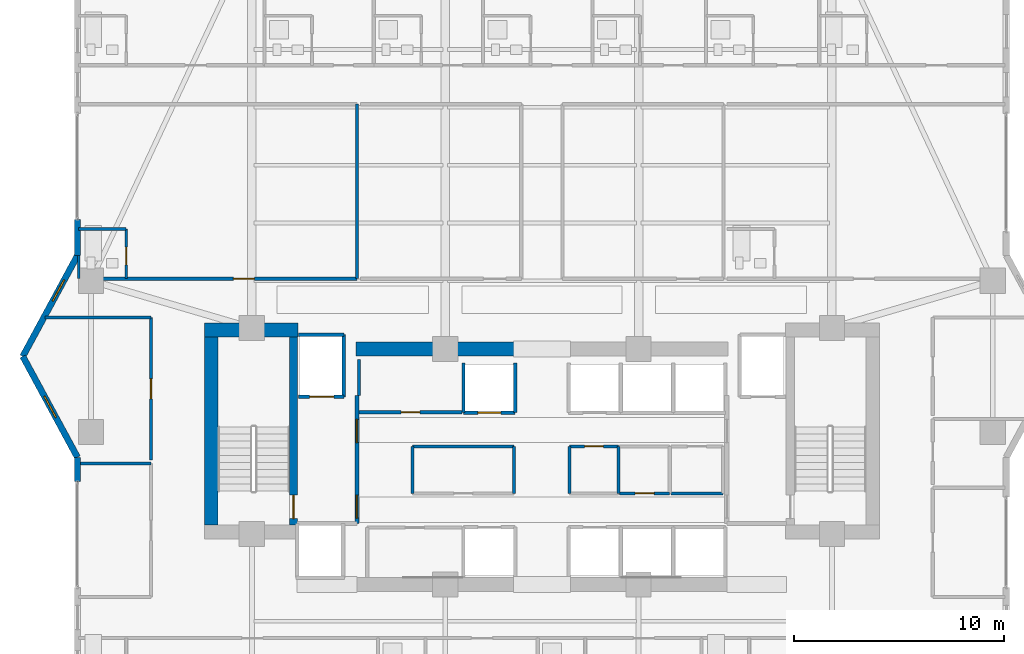
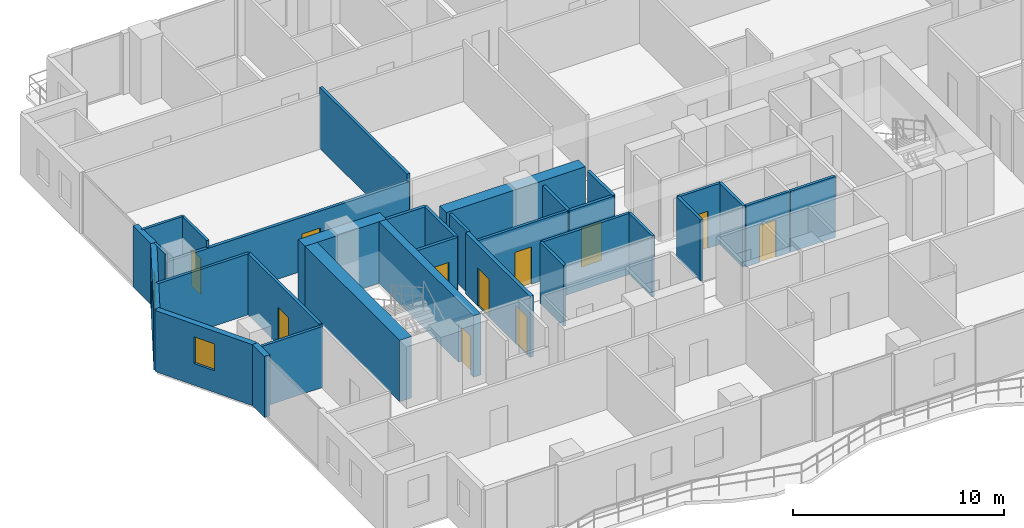
# One storey, part 25 of 33: 33 walls, 11 doors, 2 windows, 13 openings.
"""IFC4 building model written with IfcOpenShell, lengths in metres."""

from ifc_helpers import new_model, si_unit, direction, frame, frame_2d, origin, place, context, subcontext, project, spatial, rectangle, extrude, material, layer, layer_set, type_object, element, fill, save


model = new_model("IFC4")

# Units and contexts
model_context = context("Model", 3, precision=1e-05, world=origin(), true_north=direction((0.0, 1.0)))
body_context = subcontext(model_context, "Body", "Model", "MODEL_VIEW")
ifc_project = project(units=[si_unit("LENGTHUNIT", "METRE"), si_unit("AREAUNIT", "SQUARE_METRE"), si_unit("VOLUMEUNIT", "CUBIC_METRE"), si_unit("PLANEANGLEUNIT", "RADIAN"), si_unit("MASSUNIT", "GRAM", prefix="KILO")], contexts=[model_context])

# Site, building, storey
site_placement = place(None, origin())
site = spatial("IfcSite", under=ifc_project, at=site_placement, CompositionType="ELEMENT")
building_placement = place(site_placement, origin())
building = spatial("IfcBuilding", under=site, at=building_placement, Name="Zuhayl Quay Hotel", CompositionType="ELEMENT")
storey_placement = place(building_placement, frame((0.0, 0.0, 207.39990234375)))
storey = spatial("IfcBuildingStorey", under=building, at=storey_placement, Name="L52", CompositionType="ELEMENT", Elevation=207.39990234375)

# Walls
ifc_material_1 = material(Name="Concrete C50/60", Category="concrete")
ifc_layer_1 = layer(ifc_material_1, 0.64990234375, Name="Concrete C50/60", Category="concrete")
ifc_layer_set_1 = layer_set([ifc_layer_1], Name="Concrete C50/60")
wall_type_1 = type_object("IfcWallType", Name="WL_CORE_650", PredefinedType="SHEAR", material=ifc_layer_set_1)
wall_1_placement = place(storey_placement, frame((-16.06005859375, 14.2548828125, 0.0), z_axis=(0.0, 0.0, 1.0), x_axis=(1.0, 0.0, 0.0)))
element("IfcWall", 1, at=wall_1_placement, inside=storey, type_object=wall_type_1, Name="L52 Core Shear Wall CW_NW", PredefinedType="SHEAR", context=body_context, shape_type="SweptSolid", body=[
    extrude(rectangle(XDim=4.4599609375, YDim=0.64990234375, at=frame_2d((2.22998046875, 0.0))), origin(), (0.0, 0.0, 1.0), 3.56005859375),
])
wall_2_placement = place(storey_placement, frame((-15.735107421875, 4.969970703125, 0.0), z_axis=(0.0, 0.0, 1.0), x_axis=(0.0, 1.0, 0.0)))
element("IfcWall", 2, at=wall_2_placement, inside=storey, type_object=wall_type_1, Name="L52 Core Shear Wall CW_W", PredefinedType="SHEAR", context=body_context, shape_type="SweptSolid", body=[
    extrude(rectangle(XDim=8.9599609375, YDim=0.64990234375, at=frame_2d((4.47998046875, 0.0))), origin(), (0.0, 0.0, 1.0), 3.56005859375),
])
wall_3_placement = place(storey_placement, frame((-8.85009765625, 13.35009765625, 0.0), z_axis=(0.0, 0.0, 1.0), x_axis=(1.0, 0.0, 0.0)))
element("IfcWall", 3, at=wall_3_placement, inside=storey, type_object=wall_type_1, Name="L52 Core Shear Wall CW_NC_W", PredefinedType="SHEAR", context=body_context, shape_type="SweptSolid", body=[
    extrude(rectangle(XDim=7.60009765625, YDim=0.64990234375, at=frame_2d((3.800048828125, 0.0))), origin(), (0.0, 0.0, 1.0), 3.530029296875),
])
ifc_material_2 = material(Name="Precast concrete C45/55", Category="concrete")
ifc_layer_2 = layer(ifc_material_2, 0.300048828125, Name="Precast concrete C45/55", Category="concrete")
ifc_layer_set_2 = layer_set([ifc_layer_2], Name="Precast concrete C45/55")
wall_type_2 = type_object("IfcWallType", Name="WL_EXT_300", PredefinedType="STANDARD", material=ifc_layer_set_2)
wall_4_placement = place(storey_placement, frame((-22.10009765625, 7.050048828125, 0.0), z_axis=(0.0, 0.0, 1.0), x_axis=(0.0, 1.0, 0.0)))
element("IfcWall", 4, at=wall_4_placement, inside=storey, type_object=wall_type_2, Name="L52 Exterior Precast Wall ENV_L52_E02_EW2", PredefinedType="STANDARD", context=body_context, shape_type="SweptSolid", body=[
    extrude(rectangle(XDim=1.14990234375, YDim=0.300048828125, at=frame_2d((0.574951171875, 0.0))), origin(), (0.0, 0.0, 1.0), 3.530029296875),
])

# Wall, opening, window
wall_5_placement = place(storey_placement, frame((-22.10009765625, 8.199951171875, 0.0), z_axis=(0.0, 0.0, 1.0), x_axis=(-0.476258655584, 0.879305233114, 0.0)))
wall_5 = element("IfcWall", 5, at=wall_5_placement, inside=storey, type_object=wall_type_2, Name="L52 Exterior Precast Wall ENV_L52_EW03", PredefinedType="STANDARD", context=body_context, shape_type="SweptSolid", body=[
    extrude(rectangle(XDim=5.458984375, YDim=0.300048828125, at=frame_2d((2.7294921875, 0.0))), origin(), (0.0, 0.0, 1.0), 3.530029296875),
])
opening_1_placement = place(wall_5_placement, frame((2.154541015625, 0.0, 1.25)))
opening_1 = element("IfcOpeningElement", 6, at=opening_1_placement, cuts=wall_5, Name="Opening W01N", PredefinedType="OPENING", context=body_context, shape_type="SweptSolid", body=[
    extrude(rectangle(XDim=1.14990234375, YDim=1.550048828125, at=frame_2d((0.574951171875, 0.77490234375))), frame((0.0, 0.159912109375, 0.0), z_axis=(0.0, -1.0, 0.0), x_axis=(1.0, 0.0, 0.0)), (0.0, 0.0, 1.0), 0.320068359375),
])
ifc_material_3 = material(Name="Dark Ceramic-Fritted Solar Glass", Category="glass")
window_type = type_object("IfcWindowType", Name="WN_NOTCH_1350", PartitioningType="SINGLE_PANEL", PredefinedType="WINDOW", material=ifc_material_3)
window_1_placement = place(opening_1_placement, origin())
window_1 = element("IfcWindow", 7, at=window_1_placement, inside=storey, type_object=window_type, Name="L52 Corner Notch Window 3", OverallHeight=1.550048828125, OverallWidth=1.14990234375, PartitioningType="SINGLE_PANEL", PredefinedType="WINDOW", context=body_context, shape_type="SweptSolid", body=[
    extrude(rectangle(XDim=1.14990234375, YDim=1.550048828125, at=frame_2d((0.574951171875, 0.77490234375))), frame((0.0, 0.030029296875, 0.0), z_axis=(0.0, -1.0, 0.0), x_axis=(1.0, 0.0, 0.0)), (0.0, 0.0, 1.0), 0.06005859375),
])
fill(opening_1, window_1)

wall_6_placement = place(storey_placement, frame((-24.699951171875, 13.0, 0.0), z_axis=(0.0, 0.0, 1.0), x_axis=(0.476258655584, 0.879305233114, 0.0)))
wall_6 = element("IfcWall", 8, at=wall_6_placement, inside=storey, type_object=wall_type_2, Name="L52 Exterior Precast Wall ENV_L52_EW04", PredefinedType="STANDARD", context=body_context, shape_type="SweptSolid", body=[
    extrude(rectangle(XDim=5.458984375, YDim=0.300048828125, at=frame_2d((2.7294921875, 0.0))), origin(), (0.0, 0.0, 1.0), 3.530029296875),
])
opening_2_placement = place(wall_6_placement, frame((2.9931640625, 0.0, 1.25)))
opening_2 = element("IfcOpeningElement", 9, at=opening_2_placement, cuts=wall_6, Name="Opening W01N", PredefinedType="OPENING", context=body_context, shape_type="SweptSolid", body=[
    extrude(rectangle(XDim=1.14990234375, YDim=1.550048828125, at=frame_2d((0.574951171875, 0.77490234375))), frame((0.0, 0.159912109375, 0.0), z_axis=(0.0, -1.0, 0.0), x_axis=(1.0, 0.0, 0.0)), (0.0, 0.0, 1.0), 0.320068359375),
])
window_2_placement = place(opening_2_placement, origin())
window_2 = element("IfcWindow", 10, at=window_2_placement, inside=storey, type_object=window_type, Name="L52 Corner Notch Window 4", OverallHeight=1.550048828125, OverallWidth=1.14990234375, PartitioningType="SINGLE_PANEL", PredefinedType="WINDOW", context=body_context, shape_type="SweptSolid", body=[
    extrude(rectangle(XDim=1.14990234375, YDim=1.550048828125, at=frame_2d((0.574951171875, 0.77490234375))), frame((0.0, 0.030029296875, 0.0), z_axis=(0.0, -1.0, 0.0), x_axis=(1.0, 0.0, 0.0)), (0.0, 0.0, 1.0), 0.06005859375),
])
fill(opening_2, window_2)

# Wall
wall_7_placement = place(storey_placement, frame((-22.10009765625, 17.800048828125, 0.0), z_axis=(0.0, 0.0, 1.0), x_axis=(0.0, 1.0, 0.0)))
element("IfcWall", 11, at=wall_7_placement, inside=storey, type_object=wall_type_2, Name="L52 Exterior Precast Wall ENV_L52_E05_EW1", PredefinedType="STANDARD", context=body_context, shape_type="SweptSolid", body=[
    extrude(rectangle(XDim=1.7099609375, YDim=0.300048828125, at=frame_2d((0.85498046875, 0.0))), origin(), (0.0, 0.0, 1.0), 3.530029296875),
])

# Wall, opening, door
ifc_material_4 = material(Name="Acoustic Gypsum Partition STC-58")
ifc_layer_3 = layer(ifc_material_4, 0.14990234375, Name="Acoustic Gypsum Partition STC-58")
ifc_layer_set_3 = layer_set([ifc_layer_3], Name="Acoustic Gypsum Partition STC-58")
wall_type_3 = type_object("IfcWallType", Name="WL_PART_150", PredefinedType="PARTITIONING", material=ifc_layer_set_3)
wall_8_placement = place(storey_placement, frame((-8.7099609375, 10.340087890625, 0.0), z_axis=(0.0, 0.0, 1.0), x_axis=(1.0, 0.0, 0.0)))
wall_8 = element("IfcWall", 12, at=wall_8_placement, inside=storey, type_object=wall_type_3, Name="L52 Partition IW_L52_FLP_N_S", PredefinedType="PARTITIONING", context=body_context, shape_type="SweptSolid", body=[
    extrude(rectangle(XDim=4.919921875, YDim=0.14990234375, at=frame_2d((2.4599609375, 0.0))), origin(), (0.0, 0.0, 1.0), 3.530029296875),
])
opening_3_placement = place(wall_8_placement, frame((2.010009765625, 0.0, 0.0)))
opening_3 = element("IfcOpeningElement", 13, at=opening_3_placement, cuts=wall_8, Name="Opening D06", PredefinedType="OPENING", context=body_context, shape_type="SweptSolid", body=[
    extrude(rectangle(XDim=0.89990234375, YDim=2.14990234375, at=frame_2d((0.449951171875, 1.074951171875))), frame((0.0, 0.0849609375, 0.0), z_axis=(0.0, -1.0, 0.0), x_axis=(1.0, 0.0, 0.0)), (0.0, 0.0, 1.0), 0.169921875),
])
ifc_material_5 = material(Name="Steel ASTM A992 Grade 50", Category="steel")
door_type_1 = type_object("IfcDoorType", Name="DR_INT_900", OperationType="NOTDEFINED", PredefinedType="DOOR", material=ifc_material_5)
door_1_placement = place(opening_3_placement, origin())
door_1 = element("IfcDoor", 14, at=door_1_placement, inside=storey, type_object=door_type_1, Name="L52 Housekeeping Linen Bay Door", OperationType="SINGLE_SWING_LEFT", OverallHeight=2.14990234375, OverallWidth=0.89990234375, PredefinedType="DOOR", context=body_context, shape_type="SweptSolid", body=[
    extrude(rectangle(XDim=0.89990234375, YDim=2.14990234375, at=frame_2d((0.449951171875, 1.074951171875))), frame((0.0, 0.02490234375, 0.0), z_axis=(0.0, -1.0, 0.0), x_axis=(1.0, 0.0, 0.0)), (0.0, 0.0, 1.0), 0.050048828125),
])
fill(opening_3, door_1)

wall_9_placement = place(storey_placement, frame((1.320068359375, 8.719970703125, 0.0), z_axis=(0.0, 0.0, 1.0), x_axis=(1.0, 0.0, 0.0)))
wall_9 = element("IfcWall", 15, at=wall_9_placement, inside=storey, type_object=wall_type_3, Name="L52 Partition IW_L52_CORE_E1_N", PredefinedType="PARTITIONING", context=body_context, shape_type="SweptSolid", body=[
    extrude(rectangle(XDim=2.31982421875, YDim=0.14990234375, at=frame_2d((1.159912109375, 0.0))), origin(), (0.0, 0.0, 1.0), 3.530029296875),
])
opening_4_placement = place(wall_9_placement, frame((0.7099609375, 0.0, 0.0)))
opening_4 = element("IfcOpeningElement", 16, at=opening_4_placement, cuts=wall_9, Name="Opening D06", PredefinedType="OPENING", context=body_context, shape_type="SweptSolid", body=[
    extrude(rectangle(XDim=0.89990234375, YDim=2.14990234375, at=frame_2d((0.449951171875, 1.074951171875))), frame((0.0, 0.0849609375, 0.0), z_axis=(0.0, -1.0, 0.0), x_axis=(1.0, 0.0, 0.0)), (0.0, 0.0, 1.0), 0.169921875),
])
door_2_placement = place(opening_4_placement, origin())
door_2 = element("IfcDoor", 17, at=door_2_placement, inside=storey, type_object=door_type_1, Name="L52 Floor Electrical Closet Door", OperationType="SINGLE_SWING_LEFT", OverallHeight=2.14990234375, OverallWidth=0.89990234375, PredefinedType="DOOR", context=body_context, shape_type="SweptSolid", body=[
    extrude(rectangle(XDim=0.89990234375, YDim=2.14990234375, at=frame_2d((0.449951171875, 1.074951171875))), frame((0.0, 0.02490234375, 0.0), z_axis=(0.0, -1.0, 0.0), x_axis=(1.0, 0.0, 0.0)), (0.0, 0.0, 1.0), 0.050048828125),
])
fill(opening_4, door_2)

wall_10_placement = place(storey_placement, frame((3.699951171875, 6.47998046875, 0.0), z_axis=(0.0, 0.0, 1.0), x_axis=(1.0, 0.0, 0.0)))
wall_10 = element("IfcWall", 18, at=wall_10_placement, inside=storey, type_object=wall_type_3, Name="L52 Partition IW_L52_CORE_E2_S", PredefinedType="PARTITIONING", context=body_context, shape_type="SweptSolid", body=[
    extrude(rectangle(XDim=2.380126953125, YDim=0.14990234375, at=frame_2d((1.18994140625, 0.0))), origin(), (0.0, 0.0, 1.0), 3.530029296875),
])
opening_5_placement = place(wall_10_placement, frame((0.739990234375, 0.0, 0.0)))
opening_5 = element("IfcOpeningElement", 19, at=opening_5_placement, cuts=wall_10, Name="Opening D06", PredefinedType="OPENING", context=body_context, shape_type="SweptSolid", body=[
    extrude(rectangle(XDim=0.89990234375, YDim=2.14990234375, at=frame_2d((0.449951171875, 1.074951171875))), frame((0.0, 0.0849609375, 0.0), z_axis=(0.0, -1.0, 0.0), x_axis=(1.0, 0.0, 0.0)), (0.0, 0.0, 1.0), 0.169921875),
])
door_3_placement = place(opening_5_placement, origin())
door_3 = element("IfcDoor", 20, at=door_3_placement, inside=storey, type_object=door_type_1, Name="L52 Data Closet Door", OperationType="SINGLE_SWING_RIGHT", OverallHeight=2.14990234375, OverallWidth=0.89990234375, PredefinedType="DOOR", context=body_context, shape_type="SweptSolid", body=[
    extrude(rectangle(XDim=0.89990234375, YDim=2.14990234375, at=frame_2d((0.449951171875, 1.074951171875))), frame((0.0, 0.02490234375, 0.0), z_axis=(0.0, -1.0, 0.0), x_axis=(1.0, 0.0, 0.0)), (0.0, 0.0, 1.0), 0.050048828125),
])
fill(opening_5, door_3)

# Walls
wall_11_placement = place(storey_placement, frame((-8.7099609375, 11.14990234375, 0.0), z_axis=(0.0, 0.0, 1.0), x_axis=(0.0, 1.0, 0.0)))
element("IfcWall", 21, at=wall_11_placement, inside=storey, type_object=wall_type_3, Name="L52 Partition IW_L52_FLP_N_W", PredefinedType="PARTITIONING", context=body_context, shape_type="SweptSolid", body=[
    extrude(rectangle(XDim=1.710205078125, YDim=0.14990234375, at=frame_2d((0.85498046875, 0.0))), origin(), (0.0, 0.0, 1.0), 3.530029296875),
])
wall_12_placement = place(storey_placement, frame((-6.159912109375, 8.719970703125, 0.0), z_axis=(0.0, 0.0, 1.0), x_axis=(1.0, 0.0, 0.0)))
element("IfcWall", 22, at=wall_12_placement, inside=storey, type_object=wall_type_3, Name="L52 Partition IW_L52_CORE_SV_N", PredefinedType="PARTITIONING", context=body_context, shape_type="SweptSolid", body=[
    extrude(rectangle(XDim=4.83984375, YDim=0.14990234375, at=frame_2d((2.419921875, 0.0))), origin(), (0.0, 0.0, 1.0), 3.530029296875),
])
for number, where, z_axis, x_axis, name in (
    (23, (-6.159912109375, 6.47998046875, 0.0), (0.0, 0.0, 1.0), (0.0, 1.0, 0.0), "L52 Partition IW_L52_CORE_SV_W"),
    (24, (-1.320068359375, 6.47998046875, 0.0), (0.0, 0.0, 1.0), (0.0, 1.0, 0.0), "L52 Partition IW_L52_CORE_SV_E"),
    (25, (1.320068359375, 6.47998046875, 0.0), (0.0, 0.0, 1.0), (0.0, 1.0, 0.0), "L52 Partition IW_L52_CORE_E1_W"),
    (26, (3.639892578125, 6.47998046875, 0.0), (0.0, 0.0, 1.0), (0.0, 1.0, 0.0), "L52 Partition IW_L52_CORE_E1_E"),
):
    element("IfcWall", number, at=place(storey_placement, frame(where, z_axis=z_axis, x_axis=x_axis)), inside=storey, type_object=wall_type_3, Name=name, PredefinedType="PARTITIONING", context=body_context, shape_type="SweptSolid", body=[
        extrude(rectangle(XDim=2.239990234375, YDim=0.14990234375, at=frame_2d((1.1201171875, 0.0))), origin(), (0.0, 0.0, 1.0), 3.530029296875),
    ])
wall_13_placement = place(storey_placement, frame((6.139892578125, 6.47998046875, 0.0), z_axis=(0.0, 0.0, 1.0), x_axis=(1.0, 0.0, 0.0)))
element("IfcWall", 27, at=wall_13_placement, inside=storey, type_object=wall_type_3, Name="L52 Partition IW_L52_CORE_E3_S", PredefinedType="PARTITIONING", context=body_context, shape_type="SweptSolid", body=[
    extrude(rectangle(XDim=2.47021484375, YDim=0.14990234375, at=frame_2d((1.235107421875, 0.0))), origin(), (0.0, 0.0, 1.0), 3.530029296875),
])
wall_14_placement = place(storey_placement, frame((-8.800048828125, 16.699951171875, 0.0), z_axis=(0.0, 0.0, 1.0), x_axis=(0.0, 1.0, 0.0)))
element("IfcWall", 28, at=wall_14_placement, inside=storey, type_object=wall_type_3, Name="L52 Partition IW_L52_MU01_E", PredefinedType="PARTITIONING", context=body_context, shape_type="SweptSolid", body=[
    extrude(rectangle(XDim=8.300048828125, YDim=0.14990234375, at=frame_2d((4.14990234375, 0.0))), origin(), (0.0, 0.0, 1.0), 3.530029296875),
])
wall_15_placement = place(storey_placement, frame((-22.0400390625, 7.89990234375, 0.0), z_axis=(0.0, 0.0, 1.0), x_axis=(1.0, 0.0, 0.0)))
element("IfcWall", 29, at=wall_15_placement, inside=storey, type_object=wall_type_3, Name="L52 Partition IW_L52_WPROW_1_N", PredefinedType="PARTITIONING", context=body_context, shape_type="SweptSolid", body=[
    extrude(rectangle(XDim=3.43994140625, YDim=0.14990234375, at=frame_2d((1.719970703125, 0.0))), origin(), (0.0, 0.0, 1.0), 3.530029296875),
])
wall_16_placement = place(storey_placement, frame((-23.637939453125, 14.85009765625, 0.0), z_axis=(0.0, 0.0, 1.0), x_axis=(1.0, 0.0, 0.0)))
element("IfcWall", 30, at=wall_16_placement, inside=storey, type_object=wall_type_3, Name="L52 Partition IW_L52_WPROW_2_N", PredefinedType="PARTITIONING", context=body_context, shape_type="SweptSolid", body=[
    extrude(rectangle(XDim=5.037841796875, YDim=0.14990234375, at=frame_2d((2.51904296875, 0.0))), origin(), (0.0, 0.0, 1.0), 3.530029296875),
])

# Wall, opening, door
ifc_layer_4 = layer(ifc_material_4, 0.159912109375, Name="Acoustic Gypsum Partition STC-58")
ifc_layer_set_4 = layer_set([ifc_layer_4], Name="Acoustic Gypsum Partition STC-58")
wall_type_4 = type_object("IfcWallType", Name="WL_PART_CORR_160", PredefinedType="PARTITIONING", material=ifc_layer_set_4)
wall_17_placement = place(storey_placement, frame((-22.0400390625, 16.699951171875, 0.0), z_axis=(0.0, 0.0, 1.0), x_axis=(1.0, 0.0, 0.0)))
wall_17 = element("IfcWall", 31, at=wall_17_placement, inside=storey, type_object=wall_type_4, Name="L52 Partition IW_L52_MU01_COR", PredefinedType="PARTITIONING", context=body_context, shape_type="SweptSolid", body=[
    extrude(rectangle(XDim=13.239990234375, YDim=0.159912109375, at=frame_2d((6.6201171875, 0.0))), origin(), (0.0, 0.0, 1.0), 3.1240234375),
])
opening_6_placement = place(wall_17_placement, frame((7.364990234375, 0.0, 0.0)))
opening_6 = element("IfcOpeningElement", 32, at=opening_6_placement, cuts=wall_17, Name="Opening D03L", PredefinedType="OPENING", context=body_context, shape_type="SweptSolid", body=[
    extrude(rectangle(XDim=1.0, YDim=2.14990234375, at=frame_2d((0.5, 1.074951171875))), frame((0.0, 0.08984375, 0.0), z_axis=(0.0, -1.0, 0.0), x_axis=(1.0, 0.0, 0.0)), (0.0, 0.0, 1.0), 0.179931640625),
])
ifc_material_6 = material(Name="Solid Walnut Acoustic Fire Door")
door_type_2 = type_object("IfcDoorType", Name="DR_SUITE_1000", OperationType="NOTDEFINED", PredefinedType="DOOR", material=ifc_material_6)
door_4_placement = place(opening_6_placement, origin())
door_4 = element("IfcDoor", 33, at=door_4_placement, inside=storey, type_object=door_type_2, Name="L52 Club Junior Suite L52-M1 Entrance Door", OperationType="SINGLE_SWING_LEFT", OverallHeight=2.14990234375, OverallWidth=1.0, PredefinedType="DOOR", context=body_context, shape_type="SweptSolid", body=[
    extrude(rectangle(XDim=1.0, YDim=2.14990234375, at=frame_2d((0.5, 1.074951171875))), frame((0.0, 0.02490234375, 0.0), z_axis=(0.0, -1.0, 0.0), x_axis=(1.0, 0.0, 0.0)), (0.0, 0.0, 1.0), 0.050048828125),
])
fill(opening_6, door_4)

wall_18_placement = place(storey_placement, frame((-18.60009765625, 8.06005859375, 0.0), z_axis=(0.0, 0.0, 1.0), x_axis=(0.0, 1.0, 0.0)))
wall_18 = element("IfcWall", 34, at=wall_18_placement, inside=storey, type_object=wall_type_4, Name="L52 Partition IW_L52_WPROW_2_E", PredefinedType="PARTITIONING", context=body_context, shape_type="SweptSolid", body=[
    extrude(rectangle(XDim=6.7900390625, YDim=0.159912109375, at=frame_2d((3.39501953125, 0.0))), origin(), (0.0, 0.0, 1.0), 3.530029296875),
])
opening_7_placement = place(wall_18_placement, frame((2.919921875, 0.0, 0.0)))
opening_7 = element("IfcOpeningElement", 35, at=opening_7_placement, cuts=wall_18, Name="Opening D03", PredefinedType="OPENING", context=body_context, shape_type="SweptSolid", body=[
    extrude(rectangle(XDim=0.949951171875, YDim=2.14990234375, at=frame_2d((0.47509765625, 1.074951171875))), frame((0.0, 0.08984375, 0.0), z_axis=(0.0, -1.0, 0.0), x_axis=(1.0, 0.0, 0.0)), (0.0, 0.0, 1.0), 0.179931640625),
])
door_type_3 = type_object("IfcDoorType", Name="DR_SUITE_950", OperationType="NOTDEFINED", PredefinedType="DOOR", material=ifc_material_6)
door_5_placement = place(opening_7_placement, origin())
door_5 = element("IfcDoor", 36, at=door_5_placement, inside=storey, type_object=door_type_3, Name="L52 Sunset Lounge L52 Door", OperationType="SINGLE_SWING_RIGHT", OverallHeight=2.14990234375, OverallWidth=0.949951171875, PredefinedType="DOOR", context=body_context, shape_type="SweptSolid", body=[
    extrude(rectangle(XDim=0.949951171875, YDim=2.14990234375, at=frame_2d((0.47509765625, 1.074951171875))), frame((0.0, 0.02490234375, 0.0), z_axis=(0.0, -1.0, 0.0), x_axis=(1.0, 0.0, 0.0)), (0.0, 0.0, 1.0), 0.050048828125),
])
fill(opening_7, door_5)

ifc_material_7 = material(Name="Moisture-Resistant Sanitarychase Gypsum")
ifc_layer_5 = layer(ifc_material_7, 0.135009765625, Name="Moisture-Resistant Sanitarychase Gypsum")
ifc_layer_set_5 = layer_set([ifc_layer_5], Name="Moisture-Resistant Sanitarychase Gypsum")
wall_type_5 = type_object("IfcWallType", Name="WL_PART_PLUMB_150", PredefinedType="PLUMBINGWALL", material=ifc_layer_set_5)
wall_19_placement = place(storey_placement, frame((-19.780029296875, 16.699951171875, 0.0), z_axis=(0.0, 0.0, 1.0), x_axis=(0.0, 1.0, 0.0)))
wall_19 = element("IfcWall", 37, at=wall_19_placement, inside=storey, type_object=wall_type_5, Name="L52 Partition IW_L52_MU01_BE", PredefinedType="PLUMBINGWALL", context=body_context, shape_type="SweptSolid", body=[
    extrude(rectangle(XDim=2.360107421875, YDim=0.135009765625, at=frame_2d((1.18017578125, 0.0))), origin(), (0.0, 0.0, 1.0), 3.530029296875),
])
opening_8_placement = place(wall_19_placement, frame((0.64990234375, 0.0, 0.0)))
opening_8 = element("IfcOpeningElement", 38, at=opening_8_placement, cuts=wall_19, Name="Opening D04", PredefinedType="OPENING", context=body_context, shape_type="SweptSolid", body=[
    extrude(rectangle(XDim=0.85009765625, YDim=2.10009765625, at=frame_2d((0.425048828125, 1.050048828125))), frame((0.0, 0.077392578125, 0.0), z_axis=(0.0, -1.0, 0.0), x_axis=(1.0, 0.0, 0.0)), (0.0, 0.0, 1.0), 0.155029296875),
])
ifc_material_8 = material(Name="Moisture-Resistant Walnut Veneer")
door_type_4 = type_object("IfcDoorType", Name="DR_BATH_850", OperationType="NOTDEFINED", PredefinedType="DOOR", material=ifc_material_8)
door_6_placement = place(opening_8_placement, origin())
door_6 = element("IfcDoor", 39, at=door_6_placement, inside=storey, type_object=door_type_4, Name="L52 Club Junior Suite L52-M1 En-Suite Door", OperationType="SINGLE_SWING_RIGHT", OverallHeight=2.10009765625, OverallWidth=0.85009765625, PredefinedType="DOOR", context=body_context, shape_type="SweptSolid", body=[
    extrude(rectangle(XDim=0.85009765625, YDim=2.10009765625, at=frame_2d((0.425048828125, 1.050048828125))), frame((0.0, 0.02490234375, 0.0), z_axis=(0.0, -1.0, 0.0), x_axis=(1.0, 0.0, 0.0)), (0.0, 0.0, 1.0), 0.050048828125),
])
fill(opening_8, door_6)

# Walls
wall_20_placement = place(storey_placement, frame((-22.0400390625, 19.06005859375, 0.0), z_axis=(0.0, 0.0, 1.0), x_axis=(1.0, 0.0, 0.0)))
element("IfcWall", 40, at=wall_20_placement, inside=storey, type_object=wall_type_5, Name="L52 Partition IW_L52_MU01_BN", PredefinedType="PLUMBINGWALL", context=body_context, shape_type="SweptSolid", body=[
    extrude(rectangle(XDim=2.260009765625, YDim=0.135009765625, at=frame_2d((1.1298828125, 0.0))), origin(), (0.0, 0.0, 1.0), 3.530029296875),
])
wall_21_placement = place(storey_placement, frame((-22.0400390625, 16.699951171875, 0.0), z_axis=(0.0, 0.0, 1.0), x_axis=(0.0, 1.0, 0.0)))
element("IfcWall", 41, at=wall_21_placement, inside=storey, type_object=wall_type_5, Name="L52 Partition IW_L52_MU01_BW", PredefinedType="PLUMBINGWALL", context=body_context, shape_type="SweptSolid", body=[
    extrude(rectangle(XDim=1.10009765625, YDim=0.135009765625, at=frame_2d((0.550048828125, 0.0))), origin(), (0.0, 0.0, 1.0), 3.530029296875),
])

# Wall, opening, door
ifc_material_9 = material(Name="Gypsum Fireboard Assembly EI-90")
ifc_layer_6 = layer(ifc_material_9, 0.1650390625, Name="Gypsum Fireboard Assembly EI-90")
ifc_layer_set_6 = layer_set([ifc_layer_6], Name="Gypsum Fireboard Assembly EI-90")
wall_type_6 = type_object("IfcWallType", Name="WL_PART_SHAFT_160", PredefinedType="PARTITIONING", material=ifc_layer_set_6)
wall_22_placement = place(storey_placement, frame((-11.580078125, 11.070068359375, 0.0), z_axis=(0.0, 0.0, 1.0), x_axis=(1.0, 0.0, 0.0)))
wall_22 = element("IfcWall", 42, at=wall_22_placement, inside=storey, type_object=wall_type_6, Name="L52 Partition IW_L52_SH_FL1_F", PredefinedType="PARTITIONING", context=body_context, shape_type="SweptSolid", body=[
    extrude(rectangle(XDim=2.16015625, YDim=0.1650390625, at=frame_2d((1.080078125, 0.0))), origin(), (0.0, 0.0, 1.0), 3.530029296875),
])
opening_9_placement = place(wall_22_placement, frame((0.530029296875, 0.0, 0.0)))
opening_9 = element("IfcOpeningElement", 43, at=opening_9_placement, cuts=wall_22, Name="Opening LD2", PredefinedType="OPENING", context=body_context, shape_type="SweptSolid", body=[
    extrude(rectangle(XDim=1.14990234375, YDim=2.25, at=frame_2d((0.574951171875, 1.125))), frame((0.0, 0.092529296875, 0.0), z_axis=(0.0, -1.0, 0.0), x_axis=(1.0, 0.0, 0.0)), (0.0, 0.0, 1.0), 0.18505859375),
])
ifc_material_10 = material(Name="Brushed Stainless Steel", Category="steel")
door_type_5 = type_object("IfcDoorType", Name="DR_LIFT_FF_1100", OperationType="SLIDING_TO_LEFT", PredefinedType="DOOR", material=ifc_material_10)
door_7_placement = place(opening_9_placement, origin())
door_7 = element("IfcDoor", 44, at=door_7_placement, inside=storey, type_object=door_type_5, Name="L52 Lift FL1 Sliding Landing Door", OperationType="SLIDING_TO_LEFT", OverallHeight=2.25, OverallWidth=1.14990234375, PredefinedType="DOOR", context=body_context, shape_type="SweptSolid", body=[
    extrude(rectangle(XDim=1.14990234375, YDim=2.25, at=frame_2d((0.574951171875, 1.125))), frame((0.0, 0.02490234375, 0.0), z_axis=(0.0, -1.0, 0.0), x_axis=(1.0, 0.0, 0.0)), (0.0, 0.0, 1.0), 0.050048828125),
])
fill(opening_9, door_7)

wall_23_placement = place(storey_placement, frame((-3.72998046875, 10.320068359375, 0.0), z_axis=(0.0, 0.0, 1.0), x_axis=(1.0, 0.0, 0.0)))
wall_23 = element("IfcWall", 45, at=wall_23_placement, inside=storey, type_object=wall_type_6, Name="L52 Partition IW_L52_SH_MP3_F", PredefinedType="PARTITIONING", context=body_context, shape_type="SweptSolid", body=[
    extrude(rectangle(XDim=2.4599609375, YDim=0.1650390625, at=frame_2d((1.22998046875, 0.0))), origin(), (0.0, 0.0, 1.0), 3.530029296875),
])
opening_10_placement = place(wall_23_placement, frame((0.679931640625, 0.0, 0.0)))
opening_10 = element("IfcOpeningElement", 46, at=opening_10_placement, cuts=wall_23, Name="Opening LD1", PredefinedType="OPENING", context=body_context, shape_type="SweptSolid", body=[
    extrude(rectangle(XDim=1.10009765625, YDim=2.25, at=frame_2d((0.550048828125, 1.125))), frame((0.0, 0.092529296875, 0.0), z_axis=(0.0, -1.0, 0.0), x_axis=(1.0, 0.0, 0.0)), (0.0, 0.0, 1.0), 0.18505859375),
])
door_type_6 = type_object("IfcDoorType", Name="DR_LIFT_PASS_1100", OperationType="SLIDING_TO_LEFT", PredefinedType="DOOR", material=ifc_material_10)
door_8_placement = place(opening_10_placement, origin())
door_8 = element("IfcDoor", 47, at=door_8_placement, inside=storey, type_object=door_type_6, Name="L52 Lift MP3 Sliding Landing Door", OperationType="SLIDING_TO_LEFT", OverallHeight=2.25, OverallWidth=1.10009765625, PredefinedType="DOOR", context=body_context, shape_type="SweptSolid", body=[
    extrude(rectangle(XDim=1.10009765625, YDim=2.25, at=frame_2d((0.550048828125, 1.125))), frame((0.0, 0.02490234375, 0.0), z_axis=(0.0, -1.0, 0.0), x_axis=(1.0, 0.0, 0.0)), (0.0, 0.0, 1.0), 0.050048828125),
])
fill(opening_10, door_8)

# Walls
wall_24_placement = place(storey_placement, frame((-9.419921875, 11.070068359375, 0.0), z_axis=(0.0, 0.0, 1.0), x_axis=(0.0, 1.0, 0.0)))
element("IfcWall", 48, at=wall_24_placement, inside=storey, type_object=wall_type_6, Name="L52 Partition IW_L52_SH_FL1_E", PredefinedType="PARTITIONING", context=body_context, shape_type="SweptSolid", body=[
    extrude(rectangle(XDim=2.9599609375, YDim=0.1650390625, at=frame_2d((1.47998046875, 0.0))), origin(), (0.0, 0.0, 1.0), 3.530029296875),
])
wall_25_placement = place(storey_placement, frame((-11.580078125, 14.030029296875, 0.0), z_axis=(0.0, 0.0, 1.0), x_axis=(1.0, 0.0, 0.0)))
element("IfcWall", 49, at=wall_25_placement, inside=storey, type_object=wall_type_6, Name="L52 Partition IW_L52_SH_FL1_B", PredefinedType="PARTITIONING", context=body_context, shape_type="SweptSolid", body=[
    extrude(rectangle(XDim=2.16015625, YDim=0.1650390625, at=frame_2d((1.080078125, 0.0))), origin(), (0.0, 0.0, 1.0), 3.530029296875),
])
for number, where, z_axis, x_axis, name in (
    (50, (-3.72998046875, 10.320068359375, 0.0), (0.0, 0.0, 1.0), (0.0, 1.0, 0.0), "L52 Partition IW_L52_SH_MP3_W"),
    (51, (-1.27001953125, 10.320068359375, 0.0), (0.0, 0.0, 1.0), (0.0, 1.0, 0.0), "L52 Partition IW_L52_SH_MP3_E"),
):
    element("IfcWall", number, at=place(storey_placement, frame(where, z_axis=z_axis, x_axis=x_axis)), inside=storey, type_object=wall_type_6, Name=name, PredefinedType="PARTITIONING", context=body_context, shape_type="SweptSolid", body=[
        extrude(rectangle(XDim=2.35986328125, YDim=0.1650390625, at=frame_2d((1.179931640625, 0.0))), origin(), (0.0, 0.0, 1.0), 3.530029296875),
    ])

# Wall, openings, doors
ifc_material_11 = material(Name="Gypsum Fireboard Assembly EI-120")
ifc_layer_7 = layer(ifc_material_11, 0.199951171875, Name="Gypsum Fireboard Assembly EI-120")
ifc_layer_set_7 = layer_set([ifc_layer_7], Name="Gypsum Fireboard Assembly EI-120")
wall_type_7 = type_object("IfcWallType", Name="WL_PART_SHAFT_200", PredefinedType="PARTITIONING", material=ifc_layer_set_7)
wall_26_placement = place(storey_placement, frame((-8.800048828125, 5.050048828125, 0.0), z_axis=(0.0, 0.0, 1.0), x_axis=(0.0, 1.0, 0.0)))
wall_26 = element("IfcWall", 52, at=wall_26_placement, inside=storey, type_object=wall_type_7, Name="L52 Partition IW_L52_FSAE_W_E", PredefinedType="PARTITIONING", context=body_context, shape_type="SweptSolid", body=[
    extrude(rectangle(XDim=6.099853515625, YDim=0.199951171875, at=frame_2d((3.0498046875, 0.0))), origin(), (0.0, 0.0, 1.0), 3.530029296875),
])
opening_11_placement = place(wall_26_placement, frame((0.25, 0.0, 0.0)))
opening_11 = element("IfcOpeningElement", 53, at=opening_11_placement, cuts=wall_26, Name="Opening D02", PredefinedType="OPENING", context=body_context, shape_type="SweptSolid", body=[
    extrude(rectangle(XDim=1.10009765625, YDim=2.199951171875, at=frame_2d((0.550048828125, 1.10009765625))), frame((0.0, 0.10986328125, 0.0), z_axis=(0.0, -1.0, 0.0), x_axis=(1.0, 0.0, 0.0)), (0.0, 0.0, 1.0), 0.219970703125),
])
opening_12_placement = place(wall_26_placement, frame((3.85009765625, 0.0, 0.0)))
opening_12 = element("IfcOpeningElement", 54, at=opening_12_placement, cuts=wall_26, Name="Opening D02", PredefinedType="OPENING", context=body_context, shape_type="SweptSolid", body=[
    extrude(rectangle(XDim=1.10009765625, YDim=2.199951171875, at=frame_2d((0.550048828125, 1.10009765625))), frame((0.0, 0.10986328125, 0.0), z_axis=(0.0, -1.0, 0.0), x_axis=(1.0, 0.0, 0.0)), (0.0, 0.0, 1.0), 0.219970703125),
])
door_type_7 = type_object("IfcDoorType", Name="DR_FIRE_90_1100", OperationType="NOTDEFINED", PredefinedType="DOOR", material=ifc_material_5)
door_9_placement = place(opening_11_placement, origin())
door_9 = element("IfcDoor", 55, at=door_9_placement, inside=storey, type_object=door_type_7, Name="L52 FSAE Lobby West South Entry Door", OperationType="SINGLE_SWING_RIGHT", OverallHeight=2.199951171875, OverallWidth=1.10009765625, PredefinedType="DOOR", context=body_context, shape_type="SweptSolid", body=[
    extrude(rectangle(XDim=1.10009765625, YDim=2.199951171875, at=frame_2d((0.550048828125, 1.10009765625))), frame((0.0, 0.02490234375, 0.0), z_axis=(0.0, -1.0, 0.0), x_axis=(1.0, 0.0, 0.0)), (0.0, 0.0, 1.0), 0.050048828125),
])
fill(opening_11, door_9)
door_10_placement = place(opening_12_placement, origin())
door_10 = element("IfcDoor", 56, at=door_10_placement, inside=storey, type_object=door_type_7, Name="L52 FSAE Lobby West North Entry Door", OperationType="SINGLE_SWING_LEFT", OverallHeight=2.199951171875, OverallWidth=1.10009765625, PredefinedType="DOOR", context=body_context, shape_type="SweptSolid", body=[
    extrude(rectangle(XDim=1.10009765625, YDim=2.199951171875, at=frame_2d((0.550048828125, 1.10009765625))), frame((0.0, 0.02490234375, 0.0), z_axis=(0.0, -1.0, 0.0), x_axis=(1.0, 0.0, 0.0)), (0.0, 0.0, 1.0), 0.050048828125),
])
fill(opening_12, door_10)

# Wall, opening, door
ifc_material_12 = material(Name="Concrete C60/75", Category="concrete")
ifc_layer_8 = layer(ifc_material_12, 0.39990234375, Name="Concrete C60/75", Category="concrete")
ifc_layer_set_8 = layer_set([ifc_layer_8], Name="Concrete C60/75")
wall_type_8 = type_object("IfcWallType", Name="WL_STAIR_400", PredefinedType="SHEAR", material=ifc_layer_set_8)
wall_27_placement = place(storey_placement, frame((-11.820068359375, 4.969970703125, 0.0), z_axis=(0.0, 0.0, 1.0), x_axis=(0.0, 1.0, 0.0)))
wall_27 = element("IfcWall", 57, at=wall_27_placement, inside=storey, type_object=wall_type_8, Name="L52 Core Shear Wall SW_ST1", PredefinedType="SHEAR", context=body_context, shape_type="SweptSolid", body=[
    extrude(rectangle(XDim=8.9599609375, YDim=0.39990234375, at=frame_2d((4.47998046875, 0.0))), origin(), (0.0, 0.0, 1.0), 3.56005859375),
])
opening_13_placement = place(wall_27_placement, frame((0.31005859375, 0.0, 0.0)))
opening_13 = element("IfcOpeningElement", 58, at=opening_13_placement, cuts=wall_27, Name="Opening D01", PredefinedType="OPENING", context=body_context, shape_type="SweptSolid", body=[
    extrude(rectangle(XDim=1.1201171875, YDim=2.219970703125, at=frame_2d((0.56005859375, 1.10986328125))), frame((0.0, 0.2099609375, 0.0), z_axis=(0.0, -1.0, 0.0), x_axis=(1.0, 0.0, 0.0)), (0.0, 0.0, 1.0), 0.419921875),
])
door_type_8 = type_object("IfcDoorType", Name="DR_STAIR_90_1100", OperationType="NOTDEFINED", PredefinedType="DOOR", material=ifc_material_5)
door_11_placement = place(opening_13_placement, origin())
door_11 = element("IfcDoor", 59, at=door_11_placement, inside=storey, type_object=door_type_8, Name="L52 Smokeproof Exit Stair ST1 Door", OperationType="SINGLE_SWING_LEFT", OverallHeight=2.219970703125, OverallWidth=1.1201171875, PredefinedType="DOOR", context=body_context, shape_type="SweptSolid", body=[
    extrude(rectangle(XDim=1.1201171875, YDim=2.219970703125, at=frame_2d((0.56005859375, 1.10986328125))), frame((0.0, 0.02490234375, 0.0), z_axis=(0.0, -1.0, 0.0), x_axis=(1.0, 0.0, 0.0)), (0.0, 0.0, 1.0), 0.050048828125),
])
fill(opening_13, door_11)

save(model, "model.ifc")
